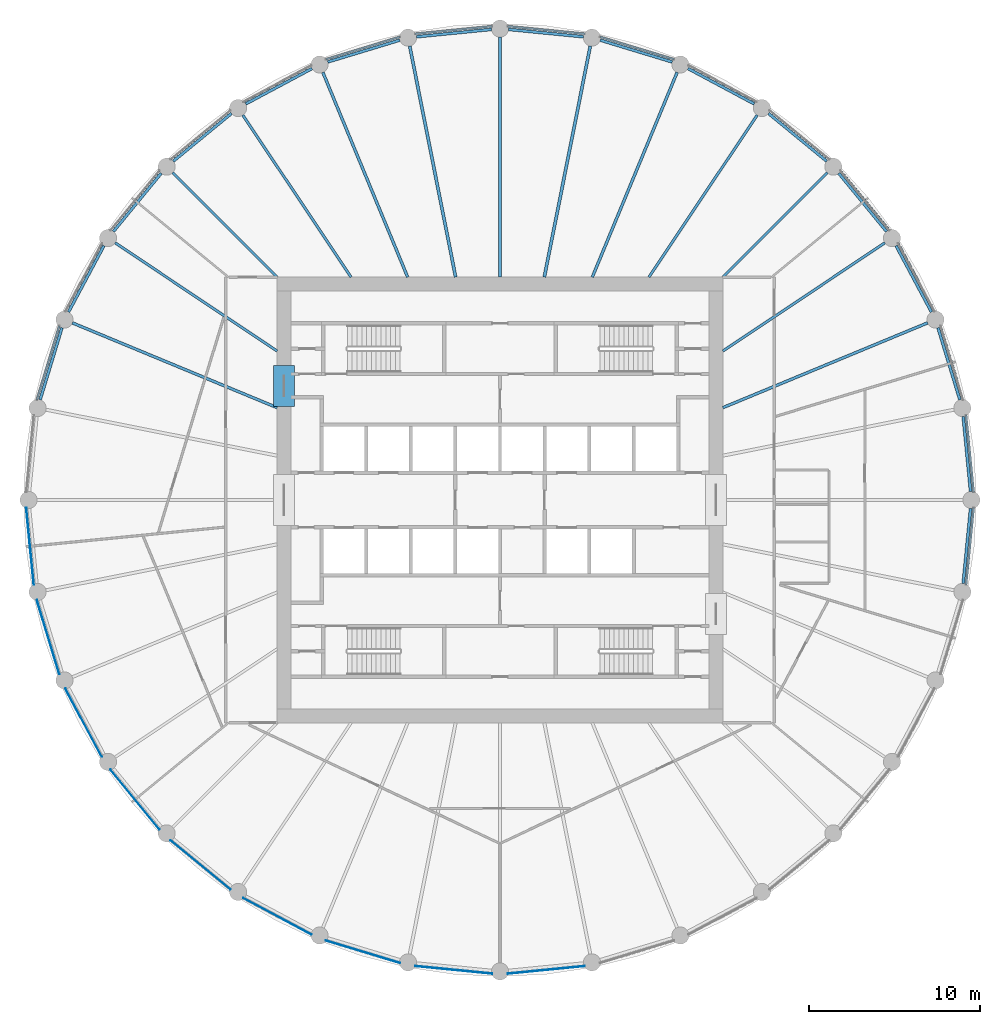
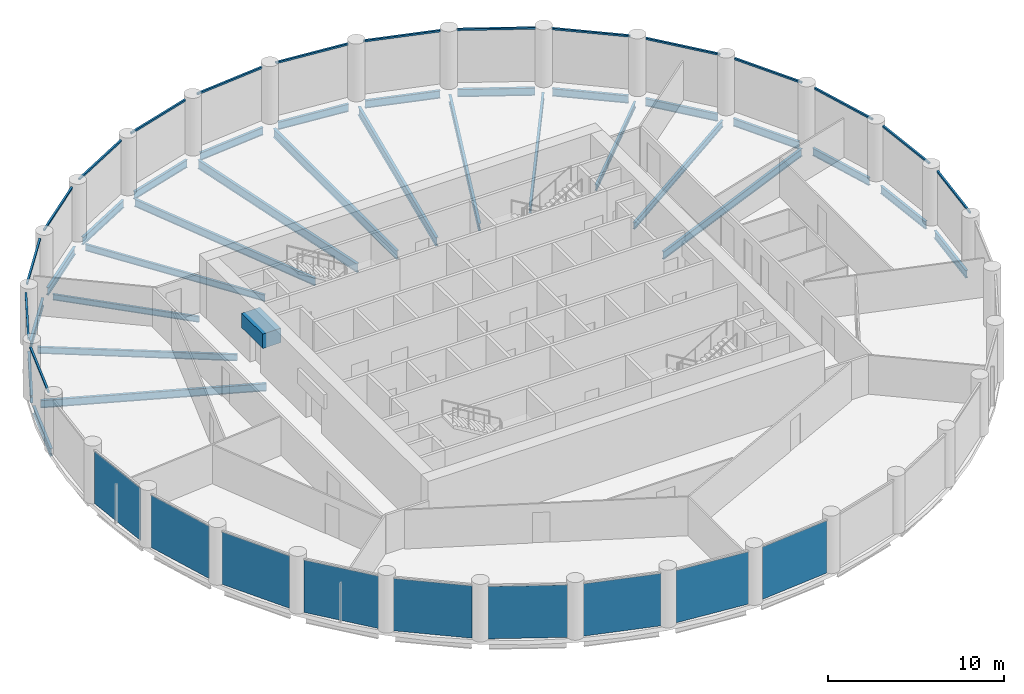
# One storey, part 2 of 8: 30 beams, 16 members, 9 plates, 25 elements without a shape of their own.
"""IFC4 building model written with IfcOpenShell, lengths in metres."""

import ifcopenshell
import ifcopenshell.guid

model = None  # the IFC model being written
_history = None  # IfcOwnerHistory: only IFC2X3 demands one
_inside = {}  # id of a spatial element -> (the spatial element, [elements in it])
_under = {}  # id of a project, library or spatial element -> (it, [spatial elements below it])
_declared = {}  # id of a project -> (the project, [libraries it declares])
_typed = {}  # id of a type object -> (the type object, [elements of that type])
_made_of = {}  # id of a material, layer set ... -> (it, [elements and type objects made of it])


def new_model(schema):
    """Start an empty IFC model of exactly this schema.

    Asked for "IFC4X3", IfcOpenShell would pick the latest addendum, in which some entities
    have other attributes; the version numbers below select the first issue.
    IFC2X3 requires an IfcOwnerHistory on every rooted entity: one is made here for all.
    """
    global model, _history
    if schema == "IFC4X3":
        model = ifcopenshell.file(schema_version=(4, 3, 0, 0))
    else:
        model = ifcopenshell.file(schema=schema)
    _inside.clear()
    _under.clear()
    _declared.clear()
    _typed.clear()
    _made_of.clear()
    _history = None
    if model.schema == "IFC2X3":
        org = make("IfcOrganization", Name="unknown")
        user = make(
            "IfcPersonAndOrganization",
            ThePerson=make("IfcPerson", FamilyName="unknown"),
            TheOrganization=org,
        )
        app = make(
            "IfcApplication",
            ApplicationDeveloper=org,
            Version="unknown",
            ApplicationFullName="unknown",
            ApplicationIdentifier="unknown",
        )
        _history = make(
            "IfcOwnerHistory",
            OwningUser=user,
            OwningApplication=app,
            ChangeAction="ADDED",
            CreationDate=0,
        )
    return model


def make(cls, **values):
    """One entity of the class cls with the attributes given. An attribute that is None is left unset."""
    return model.create_entity(
        cls, **{name: value for name, value in values.items() if value is not None}
    )


def rooted(cls, **values):
    """An entity with a GlobalId (a new one), such as an element, a storey or a relation."""
    return make(cls, GlobalId=ifcopenshell.guid.new(), OwnerHistory=_history, **values)


def si_unit(unit_type, name, prefix=None):
    """IfcSIUnit, for example si_unit("LENGTHUNIT", "METRE", prefix="MILLI")."""
    return make("IfcSIUnit", UnitType=unit_type, Prefix=prefix, Name=name)


def assignment(units):
    """IfcUnitAssignment: the units of a project."""
    return None if units is None else make("IfcUnitAssignment", Units=units)


def point(xyz):
    """IfcCartesianPoint."""
    return None if xyz is None else make("IfcCartesianPoint", Coordinates=xyz)


def direction(xyz):
    """IfcDirection."""
    return None if xyz is None else make("IfcDirection", DirectionRatios=xyz)


def frame(location, z_axis=None, x_axis=None):
    """IfcAxis2Placement3D, a coordinate frame: its origin and axes. An axis left out is left unset."""
    return make(
        "IfcAxis2Placement3D",
        Location=point(location),
        Axis=direction(z_axis),
        RefDirection=direction(x_axis),
    )


def frame_2d(location, x_axis=None):
    """IfcAxis2Placement2D, a coordinate frame in the plane: its origin and x axis."""
    return make(
        "IfcAxis2Placement2D", Location=point(location), RefDirection=direction(x_axis)
    )


def origin():
    """The frame at (0, 0, 0) with its axes left unset."""
    return frame((0.0, 0.0, 0.0))


def origin_2d():
    """The frame at (0, 0) in the plane with its x axis left unset."""
    return frame_2d((0.0, 0.0))


def place(relative_to, where):
    """IfcLocalPlacement: puts the frame where relative to a parent placement (None: the world)."""
    return make(
        "IfcLocalPlacement", PlacementRelTo=relative_to, RelativePlacement=where
    )


def context(
    kind, dimensions, precision=None, world=None, true_north=None, identifier=None
):
    """IfcGeometricRepresentationContext, for example the 3D "Model" context."""
    return make(
        "IfcGeometricRepresentationContext",
        ContextIdentifier=identifier,
        ContextType=kind,
        CoordinateSpaceDimension=dimensions,
        Precision=precision,
        WorldCoordinateSystem=world,
        TrueNorth=true_north,
    )


def subcontext(parent, identifier, kind, view, scale=None):
    """IfcGeometricRepresentationSubContext, for example "Body" below "Model"."""
    return make(
        "IfcGeometricRepresentationSubContext",
        ContextIdentifier=identifier,
        ContextType=kind,
        ParentContext=parent,
        TargetScale=scale,
        TargetView=view,
    )


def project(units=None, contexts=None):
    """IfcProject with its units and contexts."""
    return rooted(
        "IfcProject",
        Name="project",
        RepresentationContexts=contexts,
        UnitsInContext=assignment(units),
    )


def spatial(cls, under=None, at=None, **own):
    """A site, building, storey or space (cls), placed at a placement, below another one or the project."""
    s = rooted(cls, ObjectPlacement=at, **own)
    if under is not None:
        _under.setdefault(under.id(), (under, []))[1].append(s)
    return s


def profile(cls, at=None, kind="AREA", **sizes):
    """A parametric profile (cls). Its sizes go by their IFC names, for example OverallWidth=200.0."""
    return make(cls, ProfileType=kind, Position=at, **sizes)


def rectangle(**sizes):
    """IfcRectangleProfileDef."""
    return profile("IfcRectangleProfileDef", **sizes)


def i_section(**sizes):
    """IfcIShapeProfileDef."""
    return profile("IfcIShapeProfileDef", **sizes)


def extrude(swept, where, along, depth):
    """IfcExtrudedAreaSolid: the profile swept, set in the frame where, extruded along a direction by depth."""
    return make(
        "IfcExtrudedAreaSolid",
        SweptArea=swept,
        Position=where,
        ExtrudedDirection=direction(along),
        Depth=depth,
    )


def shape(context_of_items, identifier, shape_type, items):
    """IfcShapeRepresentation: the items that make up one representation, for example the "Body"."""
    return make(
        "IfcShapeRepresentation",
        ContextOfItems=context_of_items,
        RepresentationIdentifier=identifier,
        RepresentationType=shape_type,
        Items=items,
    )


def material(Name=None, Category=None):
    """IfcMaterial."""
    return make("IfcMaterial", Name=Name, Category=Category)


def layer(
    of_material, thickness, ventilated=None, Name=None, Category=None, Priority=None
):
    """IfcMaterialLayer: one layer of a wall or slab, of a material (None: an air gap)."""
    return make(
        "IfcMaterialLayer",
        Material=of_material,
        LayerThickness=thickness,
        IsVentilated=ventilated,
        Name=Name,
        Category=Category,
        Priority=Priority,
    )


def layer_set(layers, Name=None):
    """IfcMaterialLayerSet."""
    return make("IfcMaterialLayerSet", MaterialLayers=layers, LayerSetName=Name)


def material_profile(
    of_material, cross_section, Name=None, Category=None, Priority=None
):
    """IfcMaterialProfile: a cross section and its material."""
    return make(
        "IfcMaterialProfile",
        Name=Name,
        Material=of_material,
        Profile=cross_section,
        Priority=Priority,
        Category=Category,
    )


def profile_set(profiles, Name=None, composite=None):
    """IfcMaterialProfileSet."""
    return make(
        "IfcMaterialProfileSet",
        Name=Name,
        MaterialProfiles=profiles,
        CompositeProfile=composite,
    )


def made_of(thing, what):
    """Note that an element or type object is made of a material, layer set ...; save() writes the relation."""
    if what is not None:
        _made_of.setdefault(what.id(), (what, []))[1].append(thing)
    return thing


def type_object(cls, material=None, **own):
    """A type object (cls), such as IfcWallType, which elements share."""
    return made_of(rooted(cls, **own), material)


def element(
    cls,
    number,
    at=None,
    inside=None,
    cuts=None,
    type_object=None,
    material=None,
    context=None,
    identifier="Body",
    shape_type=None,
    held_by="IfcProductDefinitionShape",
    body=None,
    shapes=None,
    **own,
):
    """One element of the class cls, such as IfcWall. Its Tag is "e" and its number.

    at: its placement. inside: the storey or other place that contains it. cuts: it is an
    opening in that element (IfcRelVoidsElement). A single representation is given by context,
    identifier, shape_type and body (its items); several are given by shapes. held_by: the class
    of the entity that holds the representations. save() writes the other relations.
    """
    e = rooted(cls, Tag="e%d" % number, ObjectPlacement=at, **own)
    if body is not None:
        shapes = [shape(context, identifier, shape_type, body)]
    if shapes is not None:
        e.Representation = make(held_by, Representations=shapes)
    if inside is not None:
        _inside.setdefault(inside.id(), (inside, []))[1].append(e)
    if cuts is not None:
        rooted(
            "IfcRelVoidsElement", RelatingBuildingElement=cuts, RelatedOpeningElement=e
        )
    if type_object is not None:
        _typed.setdefault(type_object.id(), (type_object, []))[1].append(e)
    return made_of(e, material)


def aggregate(whole, parts):
    """IfcRelAggregates: a whole, such as a stair, and the parts it consists of."""
    return rooted("IfcRelAggregates", RelatingObject=whole, RelatedObjects=parts)


def save(model, path):
    """Write the relations noted so far, then the file.

    IfcRelAggregates (storeys below a building ...), IfcRelContainedInSpatialStructure (elements
    in a storey), IfcRelDefinesByType, IfcRelAssociatesMaterial and IfcRelDeclares: one each for
    every whole, place, type object, material and project.
    """
    for whole, parts in _under.values():
        aggregate(whole, parts)
    for where, things in _inside.values():
        rooted(
            "IfcRelContainedInSpatialStructure",
            RelatedElements=things,
            RelatingStructure=where,
        )
    for kind, things in _typed.values():
        rooted("IfcRelDefinesByType", RelatedObjects=things, RelatingType=kind)
    for what, things in _made_of.values():
        rooted("IfcRelAssociatesMaterial", RelatedObjects=things, RelatingMaterial=what)
    for by, libraries in _declared.values():
        rooted("IfcRelDeclares", RelatingContext=by, RelatedDefinitions=libraries)
    model.write(path)


model = new_model("IFC4")

# Units and contexts
model_context = context("Model", 3, precision=1e-05, world=origin(), true_north=direction((0.0, 1.0)))
body_context = subcontext(model_context, "Body", "Model", "MODEL_VIEW")
ifc_project = project(units=[si_unit("LENGTHUNIT", "METRE"), si_unit("AREAUNIT", "SQUARE_METRE"), si_unit("VOLUMEUNIT", "CUBIC_METRE"), si_unit("PLANEANGLEUNIT", "RADIAN"), si_unit("MASSUNIT", "GRAM", prefix="KILO")], contexts=[model_context])

# Site, building, storey
site_placement = place(None, origin())
site = spatial("IfcSite", under=ifc_project, at=site_placement, CompositionType="ELEMENT")
building_placement = place(site_placement, origin())
building = spatial("IfcBuilding", under=site, at=building_placement, Name="Corvane Civic Tower", CompositionType="ELEMENT")
storey_placement = place(building_placement, frame((0.0, 0.0, 245.5)))
storey = spatial("IfcBuildingStorey", under=building, at=storey_placement, Name="L58", CompositionType="ELEMENT", Elevation=245.5)

# Beams
ifc_material_1 = material(Name="Concrete C50/60", Category="concrete")
ifc_material_profile_1 = material_profile(ifc_material_1, rectangle(XDim=1.199951171875, YDim=1.0, at=origin_2d()), Name="COUPLING BEAM 1200X1000")
ifc_profile_set_1 = profile_set([ifc_material_profile_1], Name="Concrete C50/60")
beam_type_1 = type_object("IfcBeamType", Name="COUPLING BEAM COUPLING BEAM 1200X1000", PredefinedType="BEAM", material=ifc_profile_set_1)
beam_1_placement = place(storey_placement, frame((-12.60009765625, 5.449951171875, 2.60009765625), z_axis=(0.0, 1.0, 0.0), x_axis=(-1.0, 0.0, 0.0)))
element("IfcBeam", 1, at=beam_1_placement, inside=storey, type_object=beam_type_1, Name="BM-L58-cpl-CW-WN", PredefinedType="BEAM", context=body_context, shape_type="SweptSolid", body=[
    extrude(rectangle(XDim=1.199951171875, YDim=1.0, at=origin_2d()), origin(), (0.0, 0.0, 1.0), 2.400146484375),
])
ifc_material_2 = material(Name="Steel ASTM A992 Gr 50", Category="steel")
ifc_material_profile_2 = material_profile(ifc_material_2, i_section(OverallWidth=0.165771484375, OverallDepth=0.5283203125, WebThickness=0.009765625, FlangeThickness=0.013671875, at=origin_2d()), Name="W21X50")
ifc_profile_set_2 = profile_set([ifc_material_profile_2], Name="Steel ASTM A992 Gr 50")
beam_type_2 = type_object("IfcBeamType", Name="EDGE BEAM W21X50", PredefinedType="BEAM", material=ifc_profile_set_2)
beam_2_placement = place(storey_placement, frame((0.49755859375, 27.450927734375, -0.564208984375), z_axis=(0.995189593769, -0.097967711281, 0.0), x_axis=(0.097967711281, 0.995189593769, 0.0)))
element("IfcBeam", 2, at=beam_2_placement, inside=storey, type_object=beam_type_2, Name="BM-L58-E01", PredefinedType="BEAM", context=body_context, shape_type="SweptSolid", body=[
    extrude(i_section(OverallWidth=0.165771484375, OverallDepth=0.5283203125, WebThickness=0.009765625, FlangeThickness=0.013671875, at=origin_2d()), origin(), (0.0, 0.0, 1.0), 4.39111328125),
])
beam_3_placement = place(storey_placement, frame((5.843505859375, 26.826416015625, -0.564208984375), z_axis=(0.956949547653, -0.290254307888, 0.0), x_axis=(0.290254307888, 0.956949547653, 0.0)))
element("IfcBeam", 3, at=beam_3_placement, inside=storey, type_object=beam_type_2, Name="BM-L58-E02", PredefinedType="BEAM", context=body_context, shape_type="SweptSolid", body=[
    extrude(i_section(OverallWidth=0.165771484375, OverallDepth=0.5283203125, WebThickness=0.009765625, FlangeThickness=0.013671875, at=origin_2d()), origin(), (0.0, 0.0, 1.0), 4.390625),
])
for number, where, z_axis, x_axis, name in (
    (4, (10.964599609375, 25.171142578125, -0.564208984375), (0.881907756852, -0.471422006704, 0.0), (0.471422006704, 0.881907756852, 0.0), "BM-L58-E03"),
    (5, (15.66455078125, 22.54833984375, -0.564208984375), (0.773030026524, -0.634369433447, 0.0), (0.634369433447, 0.773030026524, 0.0), "BM-L58-E04"),
    (6, (19.7626953125, 19.05908203125, -0.564208984375), (0.634369433447, -0.773030026524, 0.0), (0.773030026524, 0.634369433447, 0.0), "BM-L58-E05"),
    (7, (23.10107421875, 14.837158203125, -0.564208984375), (0.471422006704, -0.881907756852, 0.0), (0.881907756852, 0.471422006704, 0.0), "BM-L58-E06"),
):
    element("IfcBeam", number, at=place(storey_placement, frame(where, z_axis=z_axis, x_axis=x_axis)), inside=storey, type_object=beam_type_2, Name=name, PredefinedType="BEAM", context=body_context, shape_type="SweptSolid", body=[
        extrude(i_section(OverallWidth=0.165771484375, OverallDepth=0.5283203125, WebThickness=0.009765625, FlangeThickness=0.013671875, at=origin_2d()), origin(), (0.0, 0.0, 1.0), 4.39111328125),
    ])
beam_4_placement = place(storey_placement, frame((25.552001953125, 10.045166015625, -0.564208984375), z_axis=(0.290254307888, -0.956949547653, 0.0), x_axis=(0.956949547653, 0.290254307888, 0.0)))
element("IfcBeam", 8, at=beam_4_placement, inside=storey, type_object=beam_type_2, Name="BM-L58-E07", PredefinedType="BEAM", context=body_context, shape_type="SweptSolid", body=[
    extrude(i_section(OverallWidth=0.165771484375, OverallDepth=0.5283203125, WebThickness=0.009765625, FlangeThickness=0.013671875, at=origin_2d()), origin(), (0.0, 0.0, 1.0), 4.390625),
])
for number, where, z_axis, x_axis, name in (
    (9, (27.020751953125, 4.867431640625, -0.564208984375), (0.097967711281, -0.995189593769, 0.0), (0.995189593769, 0.097967711281, 0.0), "BM-L58-E08"),
    (10, (27.450927734375, -0.49755859375, -0.564208984375), (-0.097967711281, -0.995189593769, 0.0), (0.995189593769, -0.097967711281, 0.0), "BM-L58-E09"),
):
    element("IfcBeam", number, at=place(storey_placement, frame(where, z_axis=z_axis, x_axis=x_axis)), inside=storey, type_object=beam_type_2, Name=name, PredefinedType="BEAM", context=body_context, shape_type="SweptSolid", body=[
        extrude(i_section(OverallWidth=0.165771484375, OverallDepth=0.5283203125, WebThickness=0.009765625, FlangeThickness=0.013671875, at=origin_2d()), origin(), (0.0, 0.0, 1.0), 4.39111328125),
    ])
beam_5_placement = place(storey_placement, frame((-26.826416015625, 5.843505859375, -0.564208984375), z_axis=(0.290254307888, 0.956949547653, 0.0), x_axis=(-0.956949547653, 0.290254307888, 0.0)))
element("IfcBeam", 11, at=beam_5_placement, inside=storey, type_object=beam_type_2, Name="BM-L58-E26", PredefinedType="BEAM", context=body_context, shape_type="SweptSolid", body=[
    extrude(i_section(OverallWidth=0.165771484375, OverallDepth=0.5283203125, WebThickness=0.009765625, FlangeThickness=0.013671875, at=origin_2d()), origin(), (0.0, 0.0, 1.0), 4.390625),
])
for number, where, z_axis, x_axis, name in (
    (12, (-25.171142578125, 10.964599609375, -0.564208984375), (0.471422006704, 0.881907756852, 0.0), (-0.881907756852, 0.471422006704, 0.0), "BM-L58-E27"),
    (13, (-22.54833984375, 15.66455078125, -0.564208984375), (0.634369433447, 0.773030026524, 0.0), (-0.773030026524, 0.634369433447, 0.0), "BM-L58-E28"),
    (14, (-19.05908203125, 19.7626953125, -0.564208984375), (0.773030026524, 0.634369433447, 0.0), (-0.634369433447, 0.773030026524, 0.0), "BM-L58-E29"),
    (15, (-14.837158203125, 23.10107421875, -0.564208984375), (0.881907756852, 0.471422006704, 0.0), (-0.471422006704, 0.881907756852, 0.0), "BM-L58-E30"),
):
    element("IfcBeam", number, at=place(storey_placement, frame(where, z_axis=z_axis, x_axis=x_axis)), inside=storey, type_object=beam_type_2, Name=name, PredefinedType="BEAM", context=body_context, shape_type="SweptSolid", body=[
        extrude(i_section(OverallWidth=0.165771484375, OverallDepth=0.5283203125, WebThickness=0.009765625, FlangeThickness=0.013671875, at=origin_2d()), origin(), (0.0, 0.0, 1.0), 4.39111328125),
    ])
beam_6_placement = place(storey_placement, frame((-10.045166015625, 25.552001953125, -0.564208984375), z_axis=(0.956949547653, 0.290254307888, 0.0), x_axis=(-0.290254307888, 0.956949547653, 0.0)))
element("IfcBeam", 16, at=beam_6_placement, inside=storey, type_object=beam_type_2, Name="BM-L58-E31", PredefinedType="BEAM", context=body_context, shape_type="SweptSolid", body=[
    extrude(i_section(OverallWidth=0.165771484375, OverallDepth=0.5283203125, WebThickness=0.009765625, FlangeThickness=0.013671875, at=origin_2d()), origin(), (0.0, 0.0, 1.0), 4.390625),
])
beam_7_placement = place(storey_placement, frame((-4.867431640625, 27.020751953125, -0.564208984375), z_axis=(0.995189593769, 0.097967711281, 0.0), x_axis=(-0.097967711281, 0.995189593769, 0.0)))
element("IfcBeam", 17, at=beam_7_placement, inside=storey, type_object=beam_type_2, Name="BM-L58-E32", PredefinedType="BEAM", context=body_context, shape_type="SweptSolid", body=[
    extrude(i_section(OverallWidth=0.165771484375, OverallDepth=0.5283203125, WebThickness=0.009765625, FlangeThickness=0.013671875, at=origin_2d()), origin(), (0.0, 0.0, 1.0), 4.39111328125),
])
ifc_material_3 = material(Name="Steel ASTM A992 Gr 50", Category="steel")
ifc_material_profile_3 = material_profile(ifc_material_3, i_section(OverallWidth=0.140380859375, OverallDepth=0.40380859375, WebThickness=0.007080078125, FlangeThickness=0.01123046875, at=origin_2d()), Name="W16X31")
ifc_profile_set_3 = profile_set([ifc_material_profile_3], Name="Steel ASTM A992 Gr 50")
beam_type_3 = type_object("IfcBeamType", Name="FLOOR GIRDER W16X31", PredefinedType="BEAM", material=ifc_profile_set_3)
for number, where, z_axis, x_axis, name in (
    (18, (13.0, 13.0, -0.501953125), (0.707106781187, 0.707106781187, 0.0), (-0.707106781187, 0.707106781187, 0.0), "BM-L58-G05"),
    (19, (-13.0, 13.0, -0.501953125), (-0.707106781187, 0.707106781187, 0.0), (-0.707106781187, -0.707106781187, 0.0), "BM-L58-G29"),
):
    element("IfcBeam", number, at=place(storey_placement, frame(where, z_axis=z_axis, x_axis=x_axis)), inside=storey, type_object=beam_type_3, Name=name, PredefinedType="BEAM", context=body_context, shape_type="SweptSolid", body=[
        extrude(i_section(OverallWidth=0.140380859375, OverallDepth=0.40380859375, WebThickness=0.007080078125, FlangeThickness=0.01123046875, at=origin_2d()), origin(), (0.0, 0.0, 1.0), 8.614990234375),
    ])
ifc_material_4 = material(Name="Steel ASTM A992 Gr 50", Category="steel")
ifc_material_profile_4 = material_profile(ifc_material_4, i_section(OverallWidth=0.15283203125, OverallDepth=0.45458984375, WebThickness=0.008056640625, FlangeThickness=0.013427734375, at=origin_2d()), Name="W18X40")
ifc_profile_set_4 = profile_set([ifc_material_profile_4], Name="Steel ASTM A992 Gr 50")
beam_type_4 = type_object("IfcBeamType", Name="FLOOR GIRDER W18X40", PredefinedType="BEAM", material=ifc_profile_set_4)
for number, where, z_axis, x_axis, name in (
    (20, (8.686279296875, 13.0, -0.52734375), (0.555577326485, 0.831464872557, 0.0), (-0.831464872557, 0.555577326485, 0.0), "BM-L58-G04"),
    (21, (13.0, 8.686279296875, -0.52734375), (0.831464872557, 0.555577326485, 0.0), (-0.555577326485, 0.831464872557, 0.0), "BM-L58-G06"),
    (22, (-13.0, 8.686279296875, -0.52734375), (-0.831464872557, 0.555577326485, 0.0), (-0.555577326485, -0.831464872557, 0.0), "BM-L58-G28"),
    (23, (-8.686279296875, 13.0, -0.52734375), (-0.555577326485, 0.831464872557, 0.0), (-0.831464872557, -0.555577326485, 0.0), "BM-L58-G30"),
):
    element("IfcBeam", number, at=place(storey_placement, frame(where, z_axis=z_axis, x_axis=x_axis)), inside=storey, type_object=beam_type_4, Name=name, PredefinedType="BEAM", context=body_context, shape_type="SweptSolid", body=[
        extrude(i_section(OverallWidth=0.15283203125, OverallDepth=0.45458984375, WebThickness=0.008056640625, FlangeThickness=0.013427734375, at=origin_2d()), origin(), (0.0, 0.0, 1.0), 11.365234375),
    ])
ifc_material_5 = material(Name="Steel ASTM A992 Gr 50", Category="steel")
ifc_material_profile_5 = material_profile(ifc_material_5, i_section(OverallWidth=0.165771484375, OverallDepth=0.5283203125, WebThickness=0.009765625, FlangeThickness=0.013671875, at=origin_2d()), Name="W21X50")
ifc_profile_set_5 = profile_set([ifc_material_profile_5], Name="Steel ASTM A992 Gr 50")
beam_type_5 = type_object("IfcBeamType", Name="FLOOR GIRDER W21X50", PredefinedType="BEAM", material=ifc_profile_set_5)
for number, where, z_axis, x_axis, name in (
    (24, (5.384765625, 13.0, -0.564208984375), (0.382686450378, 0.923878282404, 0.0), (-0.923878282404, 0.382686450378, 0.0), "BM-L58-G03"),
    (25, (13.0, 5.384765625, -0.564208984375), (0.923878282404, 0.382686450378, 0.0), (-0.382686450378, 0.923878282404, 0.0), "BM-L58-G07"),
    (26, (-13.0, 5.384765625, -0.564208984375), (-0.923878282404, 0.382686450378, 0.0), (-0.382686450378, -0.923878282404, 0.0), "BM-L58-G27"),
    (27, (-5.384765625, 13.0, -0.564208984375), (-0.382686450378, 0.923878282404, 0.0), (-0.923878282404, -0.382686450378, 0.0), "BM-L58-G31"),
):
    element("IfcBeam", number, at=place(storey_placement, frame(where, z_axis=z_axis, x_axis=x_axis)), inside=storey, type_object=beam_type_5, Name=name, PredefinedType="BEAM", context=body_context, shape_type="SweptSolid", body=[
        extrude(i_section(OverallWidth=0.165771484375, OverallDepth=0.5283203125, WebThickness=0.009765625, FlangeThickness=0.013671875, at=origin_2d()), origin(), (0.0, 0.0, 1.0), 12.928955078125),
    ])
ifc_material_6 = material(Name="Steel ASTM A992 Gr 50", Category="steel")
ifc_material_profile_6 = material_profile(ifc_material_6, i_section(OverallWidth=0.177978515625, OverallDepth=0.599365234375, WebThickness=0.010009765625, FlangeThickness=0.012939453125, at=origin_2d()), Name="W24X55")
ifc_profile_set_6 = profile_set([ifc_material_profile_6], Name="Steel ASTM A992 Gr 50")
beam_type_6 = type_object("IfcBeamType", Name="FLOOR GIRDER W24X55", PredefinedType="BEAM", material=ifc_profile_set_6)
beam_8_placement = place(storey_placement, frame((0.0, 13.0, -0.599609375), z_axis=(0.0, 1.0, 0.0), x_axis=(-1.0, 0.0, 0.0)))
element("IfcBeam", 28, at=beam_8_placement, inside=storey, type_object=beam_type_6, Name="BM-L58-G01", PredefinedType="BEAM", context=body_context, shape_type="SweptSolid", body=[
    extrude(i_section(OverallWidth=0.177978515625, OverallDepth=0.599365234375, WebThickness=0.010009765625, FlangeThickness=0.012939453125, at=origin_2d()), origin(), (0.0, 0.0, 1.0), 14.0),
])
for number, where, z_axis, x_axis, name in (
    (29, (2.5859375, 13.0, -0.599609375), (0.195077644118, 0.980787802109, 0.0), (-0.980787802109, 0.195077644118, 0.0), "BM-L58-G02"),
    (30, (-2.5859375, 13.0, -0.599609375), (-0.195077644118, 0.980787802109, 0.0), (-0.980787802109, -0.195077644118, 0.0), "BM-L58-G32"),
):
    element("IfcBeam", number, at=place(storey_placement, frame(where, z_axis=z_axis, x_axis=x_axis)), inside=storey, type_object=beam_type_6, Name=name, PredefinedType="BEAM", context=body_context, shape_type="SweptSolid", body=[
        extrude(i_section(OverallWidth=0.177978515625, OverallDepth=0.599365234375, WebThickness=0.010009765625, FlangeThickness=0.012939453125, at=origin_2d()), origin(), (0.0, 0.0, 1.0), 13.745361328125),
    ])

# Curtain wall, member
ifc_material_7 = material(Name="Anodised aluminium bronze", Category="aluminium")
curtain_wall_type = type_object("IfcCurtainWallType", Name="TOWER CW-T2 STICK CURTAIN WALL", PredefinedType="NOTDEFINED", material=ifc_material_7)
curtain_wall_1_placement = place(storey_placement, origin())
curtain_wall_1 = element("IfcCurtainWall", 31, at=curtain_wall_1_placement, inside=storey, type_object=curtain_wall_type, Name="Curtain wall CW-T2 L58 bay 01", PredefinedType="NOTDEFINED")
ifc_material_8 = material(Name="Anodised aluminium bronze", Category="aluminium")
ifc_material_profile_7 = material_profile(ifc_material_8, rectangle(XDim=0.1201171875, YDim=0.1201171875, at=origin_2d()), Name="TOWER CW-T2 TRANSOM 120x120")
ifc_profile_set_7 = profile_set([ifc_material_profile_7], Name="Anodised aluminium bronze")
member_type = type_object("IfcMemberType", Name="TOWER CW-T2 TRANSOM 120x120", PredefinedType="USERDEFINED", material=ifc_profile_set_7)
member_1_placement = place(storey_placement, frame((0.452392578125, 27.635498046875, 3.68994140625), z_axis=(0.995182207386, -0.098042715701, 0.0), x_axis=(0.098042715701, 0.995182207386, 0.0)))
member_1 = element("IfcMember", 32, at=member_1_placement, type_object=member_type, Name="Transom CW-T2 L58 01.1", ObjectType="TRANSOM", PredefinedType="USERDEFINED", context=body_context, shape_type="SweptSolid", body=[
    extrude(rectangle(XDim=0.1201171875, YDim=0.1201171875, at=origin_2d()), origin(), (0.0, 0.0, 1.0), 4.51708984375),
])
aggregate(curtain_wall_1, [member_1])

curtain_wall_2_placement = place(storey_placement, origin())
curtain_wall_2 = element("IfcCurtainWall", 33, at=curtain_wall_2_placement, inside=storey, type_object=curtain_wall_type, Name="Curtain wall CW-T2 L58 bay 02", PredefinedType="NOTDEFINED")
member_2_placement = place(storey_placement, frame((5.8349609375, 27.016357421875, 3.68994140625), z_axis=(0.956941182173, -0.2902818869, 0.0), x_axis=(0.2902818869, 0.956941182173, 0.0)))
member_2 = element("IfcMember", 34, at=member_2_placement, type_object=member_type, Name="Transom CW-T2 L58 02.1", ObjectType="TRANSOM", PredefinedType="USERDEFINED", context=body_context, shape_type="SweptSolid", body=[
    extrude(rectangle(XDim=0.1201171875, YDim=0.1201171875, at=origin_2d()), origin(), (0.0, 0.0, 1.0), 4.517333984375),
])
aggregate(curtain_wall_2, [member_2])

curtain_wall_3_placement = place(storey_placement, origin())
curtain_wall_3 = element("IfcCurtainWall", 35, at=curtain_wall_3_placement, inside=storey, type_object=curtain_wall_type, Name="Curtain wall CW-T2 L58 bay 03", PredefinedType="NOTDEFINED")
member_3_placement = place(storey_placement, frame((10.993408203125, 25.35888671875, 3.68994140625), z_axis=(0.881924695689, -0.471390317183, 0.0), x_axis=(0.471390317183, 0.881924695689, 0.0)))
member_3 = element("IfcMember", 36, at=member_3_placement, type_object=member_type, Name="Transom CW-T2 L58 03.1", ObjectType="TRANSOM", PredefinedType="USERDEFINED", context=body_context, shape_type="SweptSolid", body=[
    extrude(rectangle(XDim=0.1201171875, YDim=0.1201171875, at=origin_2d()), origin(), (0.0, 0.0, 1.0), 4.517333984375),
])
aggregate(curtain_wall_3, [member_3])

curtain_wall_4_placement = place(storey_placement, origin())
curtain_wall_4 = element("IfcCurtainWall", 37, at=curtain_wall_4_placement, inside=storey, type_object=curtain_wall_type, Name="Curtain wall CW-T2 L58 bay 04", PredefinedType="NOTDEFINED")
member_4_placement = place(storey_placement, frame((15.7294921875, 22.726806640625, 3.68994140625), z_axis=(0.773014925698, -0.634387834569, 0.0), x_axis=(0.634387834569, 0.773014925698, 0.0)))
member_4 = element("IfcMember", 38, at=member_4_placement, type_object=member_type, Name="Transom CW-T2 L58 04.1", ObjectType="TRANSOM", PredefinedType="USERDEFINED", context=body_context, shape_type="SweptSolid", body=[
    extrude(rectangle(XDim=0.1201171875, YDim=0.1201171875, at=origin_2d()), origin(), (0.0, 0.0, 1.0), 4.517333984375),
])
aggregate(curtain_wall_4, [member_4])

curtain_wall_5_placement = place(storey_placement, origin())
curtain_wall_5 = element("IfcCurtainWall", 39, at=curtain_wall_5_placement, inside=storey, type_object=curtain_wall_type, Name="Curtain wall CW-T2 L58 bay 05", PredefinedType="NOTDEFINED")
member_5_placement = place(storey_placement, frame((19.861083984375, 19.221435546875, 3.68994140625), z_axis=(0.634387834569, -0.773014925698, 0.0), x_axis=(0.773014925698, 0.634387834569, 0.0)))
member_5 = element("IfcMember", 40, at=member_5_placement, type_object=member_type, Name="Transom CW-T2 L58 05.1", ObjectType="TRANSOM", PredefinedType="USERDEFINED", context=body_context, shape_type="SweptSolid", body=[
    extrude(rectangle(XDim=0.1201171875, YDim=0.1201171875, at=origin_2d()), origin(), (0.0, 0.0, 1.0), 4.517333984375),
])
aggregate(curtain_wall_5, [member_5])

curtain_wall_6_placement = place(storey_placement, origin())
curtain_wall_6 = element("IfcCurtainWall", 41, at=curtain_wall_6_placement, inside=storey, type_object=curtain_wall_type, Name="Curtain wall CW-T2 L58 bay 06", PredefinedType="NOTDEFINED")
member_6_placement = place(storey_placement, frame((23.2294921875, 14.977294921875, 3.68994140625), z_axis=(0.471390317183, -0.881924695689, 0.0), x_axis=(0.881924695689, 0.471390317183, 0.0)))
member_6 = element("IfcMember", 42, at=member_6_placement, type_object=member_type, Name="Transom CW-T2 L58 06.1", ObjectType="TRANSOM", PredefinedType="USERDEFINED", context=body_context, shape_type="SweptSolid", body=[
    extrude(rectangle(XDim=0.1201171875, YDim=0.1201171875, at=origin_2d()), origin(), (0.0, 0.0, 1.0), 4.517333984375),
])
aggregate(curtain_wall_6, [member_6])

curtain_wall_7_placement = place(storey_placement, origin())
curtain_wall_7 = element("IfcCurtainWall", 43, at=curtain_wall_7_placement, inside=storey, type_object=curtain_wall_type, Name="Curtain wall CW-T2 L58 bay 07", PredefinedType="NOTDEFINED")
member_7_placement = place(storey_placement, frame((25.705078125, 10.15771484375, 3.68994140625), z_axis=(0.2902818869, -0.956941182173, 0.0), x_axis=(0.956941182173, 0.2902818869, 0.0)))
member_7 = element("IfcMember", 44, at=member_7_placement, type_object=member_type, Name="Transom CW-T2 L58 07.1", ObjectType="TRANSOM", PredefinedType="USERDEFINED", context=body_context, shape_type="SweptSolid", body=[
    extrude(rectangle(XDim=0.1201171875, YDim=0.1201171875, at=origin_2d()), origin(), (0.0, 0.0, 1.0), 4.517333984375),
])
aggregate(curtain_wall_7, [member_7])

curtain_wall_8_placement = place(storey_placement, origin())
curtain_wall_8 = element("IfcCurtainWall", 45, at=curtain_wall_8_placement, inside=storey, type_object=curtain_wall_type, Name="Curtain wall CW-T2 L58 bay 08", PredefinedType="NOTDEFINED")
member_8_placement = place(storey_placement, frame((27.192626953125, 4.94775390625, 3.68994140625), z_axis=(0.098042715701, -0.995182207386, 0.0), x_axis=(0.995182207386, 0.098042715701, 0.0)))
member_8 = element("IfcMember", 46, at=member_8_placement, type_object=member_type, Name="Transom CW-T2 L58 08.1", ObjectType="TRANSOM", PredefinedType="USERDEFINED", context=body_context, shape_type="SweptSolid", body=[
    extrude(rectangle(XDim=0.1201171875, YDim=0.1201171875, at=origin_2d()), origin(), (0.0, 0.0, 1.0), 4.51708984375),
])
aggregate(curtain_wall_8, [member_8])

curtain_wall_9_placement = place(storey_placement, origin())
curtain_wall_9 = element("IfcCurtainWall", 47, at=curtain_wall_9_placement, inside=storey, type_object=curtain_wall_type, Name="Curtain wall CW-T2 L58 bay 09", PredefinedType="NOTDEFINED")
member_9_placement = place(storey_placement, frame((27.635498046875, -0.452392578125, 3.68994140625), z_axis=(-0.098042715701, -0.995182207386, 0.0), x_axis=(0.995182207386, -0.098042715701, 0.0)))
member_9 = element("IfcMember", 48, at=member_9_placement, type_object=member_type, Name="Transom CW-T2 L58 09.1", ObjectType="TRANSOM", PredefinedType="USERDEFINED", context=body_context, shape_type="SweptSolid", body=[
    extrude(rectangle(XDim=0.1201171875, YDim=0.1201171875, at=origin_2d()), origin(), (0.0, 0.0, 1.0), 4.51708984375),
])
aggregate(curtain_wall_9, [member_9])

curtain_wall_10_placement = place(storey_placement, origin())
curtain_wall_10 = element("IfcCurtainWall", 49, at=curtain_wall_10_placement, inside=storey, type_object=curtain_wall_type, Name="Curtain wall CW-T2 L58 bay 26", PredefinedType="NOTDEFINED")
member_10_placement = place(storey_placement, frame((-27.016357421875, 5.8349609375, 3.68994140625), z_axis=(0.2902818869, 0.956941182173, 0.0), x_axis=(-0.956941182173, 0.2902818869, 0.0)))
member_10 = element("IfcMember", 50, at=member_10_placement, type_object=member_type, Name="Transom CW-T2 L58 26.1", ObjectType="TRANSOM", PredefinedType="USERDEFINED", context=body_context, shape_type="SweptSolid", body=[
    extrude(rectangle(XDim=0.1201171875, YDim=0.1201171875, at=origin_2d()), origin(), (0.0, 0.0, 1.0), 4.517333984375),
])
aggregate(curtain_wall_10, [member_10])

curtain_wall_11_placement = place(storey_placement, origin())
curtain_wall_11 = element("IfcCurtainWall", 51, at=curtain_wall_11_placement, inside=storey, type_object=curtain_wall_type, Name="Curtain wall CW-T2 L58 bay 27", PredefinedType="NOTDEFINED")
member_11_placement = place(storey_placement, frame((-25.35888671875, 10.993408203125, 3.68994140625), z_axis=(0.471390317183, 0.881924695689, 0.0), x_axis=(-0.881924695689, 0.471390317183, 0.0)))
member_11 = element("IfcMember", 52, at=member_11_placement, type_object=member_type, Name="Transom CW-T2 L58 27.1", ObjectType="TRANSOM", PredefinedType="USERDEFINED", context=body_context, shape_type="SweptSolid", body=[
    extrude(rectangle(XDim=0.1201171875, YDim=0.1201171875, at=origin_2d()), origin(), (0.0, 0.0, 1.0), 4.517333984375),
])
aggregate(curtain_wall_11, [member_11])

curtain_wall_12_placement = place(storey_placement, origin())
curtain_wall_12 = element("IfcCurtainWall", 53, at=curtain_wall_12_placement, inside=storey, type_object=curtain_wall_type, Name="Curtain wall CW-T2 L58 bay 28", PredefinedType="NOTDEFINED")
member_12_placement = place(storey_placement, frame((-22.726806640625, 15.7294921875, 3.68994140625), z_axis=(0.634387834569, 0.773014925698, 0.0), x_axis=(-0.773014925698, 0.634387834569, 0.0)))
member_12 = element("IfcMember", 54, at=member_12_placement, type_object=member_type, Name="Transom CW-T2 L58 28.1", ObjectType="TRANSOM", PredefinedType="USERDEFINED", context=body_context, shape_type="SweptSolid", body=[
    extrude(rectangle(XDim=0.1201171875, YDim=0.1201171875, at=origin_2d()), origin(), (0.0, 0.0, 1.0), 4.517333984375),
])
aggregate(curtain_wall_12, [member_12])

curtain_wall_13_placement = place(storey_placement, origin())
curtain_wall_13 = element("IfcCurtainWall", 55, at=curtain_wall_13_placement, inside=storey, type_object=curtain_wall_type, Name="Curtain wall CW-T2 L58 bay 29", PredefinedType="NOTDEFINED")
member_13_placement = place(storey_placement, frame((-19.221435546875, 19.861083984375, 3.68994140625), z_axis=(0.773014925698, 0.634387834569, 0.0), x_axis=(-0.634387834569, 0.773014925698, 0.0)))
member_13 = element("IfcMember", 56, at=member_13_placement, type_object=member_type, Name="Transom CW-T2 L58 29.1", ObjectType="TRANSOM", PredefinedType="USERDEFINED", context=body_context, shape_type="SweptSolid", body=[
    extrude(rectangle(XDim=0.1201171875, YDim=0.1201171875, at=origin_2d()), origin(), (0.0, 0.0, 1.0), 4.517333984375),
])
aggregate(curtain_wall_13, [member_13])

curtain_wall_14_placement = place(storey_placement, origin())
curtain_wall_14 = element("IfcCurtainWall", 57, at=curtain_wall_14_placement, inside=storey, type_object=curtain_wall_type, Name="Curtain wall CW-T2 L58 bay 30", PredefinedType="NOTDEFINED")
member_14_placement = place(storey_placement, frame((-14.977294921875, 23.2294921875, 3.68994140625), z_axis=(0.881924695689, 0.471390317183, 0.0), x_axis=(-0.471390317183, 0.881924695689, 0.0)))
member_14 = element("IfcMember", 58, at=member_14_placement, type_object=member_type, Name="Transom CW-T2 L58 30.1", ObjectType="TRANSOM", PredefinedType="USERDEFINED", context=body_context, shape_type="SweptSolid", body=[
    extrude(rectangle(XDim=0.1201171875, YDim=0.1201171875, at=origin_2d()), origin(), (0.0, 0.0, 1.0), 4.517333984375),
])
aggregate(curtain_wall_14, [member_14])

curtain_wall_15_placement = place(storey_placement, origin())
curtain_wall_15 = element("IfcCurtainWall", 59, at=curtain_wall_15_placement, inside=storey, type_object=curtain_wall_type, Name="Curtain wall CW-T2 L58 bay 31", PredefinedType="NOTDEFINED")
member_15_placement = place(storey_placement, frame((-10.15771484375, 25.705078125, 3.68994140625), z_axis=(0.956941182173, 0.2902818869, 0.0), x_axis=(-0.2902818869, 0.956941182173, 0.0)))
member_15 = element("IfcMember", 60, at=member_15_placement, type_object=member_type, Name="Transom CW-T2 L58 31.1", ObjectType="TRANSOM", PredefinedType="USERDEFINED", context=body_context, shape_type="SweptSolid", body=[
    extrude(rectangle(XDim=0.1201171875, YDim=0.1201171875, at=origin_2d()), origin(), (0.0, 0.0, 1.0), 4.517333984375),
])
aggregate(curtain_wall_15, [member_15])

curtain_wall_16_placement = place(storey_placement, origin())
curtain_wall_16 = element("IfcCurtainWall", 61, at=curtain_wall_16_placement, inside=storey, type_object=curtain_wall_type, Name="Curtain wall CW-T2 L58 bay 32", PredefinedType="NOTDEFINED")
member_16_placement = place(storey_placement, frame((-4.94775390625, 27.192626953125, 3.68994140625), z_axis=(0.995182207386, 0.098042715701, 0.0), x_axis=(-0.098042715701, 0.995182207386, 0.0)))
member_16 = element("IfcMember", 62, at=member_16_placement, type_object=member_type, Name="Transom CW-T2 L58 32.1", ObjectType="TRANSOM", PredefinedType="USERDEFINED", context=body_context, shape_type="SweptSolid", body=[
    extrude(rectangle(XDim=0.1201171875, YDim=0.1201171875, at=origin_2d()), origin(), (0.0, 0.0, 1.0), 4.51708984375),
])
aggregate(curtain_wall_16, [member_16])

# Curtain wall, plate
curtain_wall_17_placement = place(storey_placement, origin())
curtain_wall_17 = element("IfcCurtainWall", 63, at=curtain_wall_17_placement, inside=storey, type_object=curtain_wall_type, Name="Curtain wall CW-T2 L58 bay 16", PredefinedType="NOTDEFINED")
ifc_material_9 = material(Name="Tinted glass", Category="glass")
ifc_layer = layer(ifc_material_9, 0.031982421875)
ifc_layer_set = layer_set([ifc_layer], Name="Tinted glass")
plate_type = type_object("IfcPlateType", Name="TOWER CW-T2 PANEL IGU32", PredefinedType="CURTAIN_PANEL", material=ifc_layer_set)
plate_1_placement = place(storey_placement, frame((2.699951171875, -27.4140625, 0.0), z_axis=(0.0, 0.0, 1.0), x_axis=(-0.995187058378, -0.097993463235, 0.0)))
plate_1 = element("IfcPlate", 64, at=plate_1_placement, type_object=plate_type, Name="Glass panel CW-T2 L58 16.1", PredefinedType="CURTAIN_PANEL", context=body_context, shape_type="SweptSolid", body=[
    extrude(rectangle(XDim=4.517333984375, YDim=0.031982421875, at=origin_2d()), origin(), (0.0, 0.0, 1.0), 3.6298828125),
])
aggregate(curtain_wall_17, [plate_1])

curtain_wall_18_placement = place(storey_placement, origin())
curtain_wall_18 = element("IfcCurtainWall", 65, at=curtain_wall_18_placement, inside=storey, type_object=curtain_wall_type, Name="Curtain wall CW-T2 L58 bay 17", PredefinedType="NOTDEFINED")
plate_2_placement = place(storey_placement, frame((-2.699951171875, -27.4140625, 0.0), z_axis=(0.0, 0.0, 1.0), x_axis=(-0.995187058378, 0.097993463235, 0.0)))
plate_2 = element("IfcPlate", 66, at=plate_2_placement, type_object=plate_type, Name="Glass panel CW-T2 L58 17.1", PredefinedType="CURTAIN_PANEL", context=body_context, shape_type="SweptSolid", body=[
    extrude(rectangle(XDim=4.517333984375, YDim=0.031982421875, at=origin_2d()), origin(), (0.0, 0.0, 1.0), 3.6298828125),
])
aggregate(curtain_wall_18, [plate_2])

curtain_wall_19_placement = place(storey_placement, origin())
curtain_wall_19 = element("IfcCurtainWall", 67, at=curtain_wall_19_placement, inside=storey, type_object=curtain_wall_type, Name="Curtain wall CW-T2 L58 bay 18", PredefinedType="NOTDEFINED")
plate_3_placement = place(storey_placement, frame((-7.996337890625, -26.360595703125, 0.0), z_axis=(0.0, 0.0, 1.0), x_axis=(-0.956938843612, 0.290289596069, 0.0)))
plate_3 = element("IfcPlate", 68, at=plate_3_placement, type_object=plate_type, Name="Glass panel CW-T2 L58 18.1", PredefinedType="CURTAIN_PANEL", context=body_context, shape_type="SweptSolid", body=[
    extrude(rectangle(XDim=4.517333984375, YDim=0.031982421875, at=origin_2d()), origin(), (0.0, 0.0, 1.0), 3.6298828125),
])
aggregate(curtain_wall_19, [plate_3])

curtain_wall_20_placement = place(storey_placement, origin())
curtain_wall_20 = element("IfcCurtainWall", 69, at=curtain_wall_20_placement, inside=storey, type_object=curtain_wall_type, Name="Curtain wall CW-T2 L58 bay 19", PredefinedType="NOTDEFINED")
plate_4_placement = place(storey_placement, frame((-12.9853515625, -24.294189453125, 0.0), z_axis=(0.0, 0.0, 1.0), x_axis=(-0.881920381001, 0.471398389449, 0.0)))
plate_4 = element("IfcPlate", 70, at=plate_4_placement, type_object=plate_type, Name="Glass panel CW-T2 L58 19.1", PredefinedType="CURTAIN_PANEL", context=body_context, shape_type="SweptSolid", body=[
    extrude(rectangle(XDim=4.517333984375, YDim=0.031982421875, at=origin_2d()), origin(), (0.0, 0.0, 1.0), 3.6298828125),
])
aggregate(curtain_wall_20, [plate_4])

curtain_wall_21_placement = place(storey_placement, origin())
curtain_wall_21 = element("IfcCurtainWall", 71, at=curtain_wall_21_placement, inside=storey, type_object=curtain_wall_type, Name="Curtain wall CW-T2 L58 bay 20", PredefinedType="NOTDEFINED")
plate_5_placement = place(storey_placement, frame((-17.475341796875, -21.2939453125, 0.0), z_axis=(0.0, 0.0, 1.0), x_axis=(-0.773012269331, 0.634391071394, 0.0)))
plate_5 = element("IfcPlate", 72, at=plate_5_placement, type_object=plate_type, Name="Glass panel CW-T2 L58 20.1", PredefinedType="CURTAIN_PANEL", context=body_context, shape_type="SweptSolid", body=[
    extrude(rectangle(XDim=4.517333984375, YDim=0.031982421875, at=origin_2d()), origin(), (0.0, 0.0, 1.0), 3.6298828125),
])
aggregate(curtain_wall_21, [plate_5])

curtain_wall_22_placement = place(storey_placement, origin())
curtain_wall_22 = element("IfcCurtainWall", 73, at=curtain_wall_22_placement, inside=storey, type_object=curtain_wall_type, Name="Curtain wall CW-T2 L58 bay 21", PredefinedType="NOTDEFINED")
plate_6_placement = place(storey_placement, frame((-21.2939453125, -17.475341796875, 0.0), z_axis=(0.0, 0.0, 1.0), x_axis=(-0.634391071394, 0.773012269331, 0.0)))
plate_6 = element("IfcPlate", 74, at=plate_6_placement, type_object=plate_type, Name="Glass panel CW-T2 L58 21.1", PredefinedType="CURTAIN_PANEL", context=body_context, shape_type="SweptSolid", body=[
    extrude(rectangle(XDim=4.517333984375, YDim=0.031982421875, at=origin_2d()), origin(), (0.0, 0.0, 1.0), 3.6298828125),
])
aggregate(curtain_wall_22, [plate_6])

curtain_wall_23_placement = place(storey_placement, origin())
curtain_wall_23 = element("IfcCurtainWall", 75, at=curtain_wall_23_placement, inside=storey, type_object=curtain_wall_type, Name="Curtain wall CW-T2 L58 bay 22", PredefinedType="NOTDEFINED")
plate_7_placement = place(storey_placement, frame((-24.294189453125, -12.9853515625, 0.0), z_axis=(0.0, 0.0, 1.0), x_axis=(-0.471398389449, 0.881920381001, 0.0)))
plate_7 = element("IfcPlate", 76, at=plate_7_placement, type_object=plate_type, Name="Glass panel CW-T2 L58 22.1", PredefinedType="CURTAIN_PANEL", context=body_context, shape_type="SweptSolid", body=[
    extrude(rectangle(XDim=4.517333984375, YDim=0.031982421875, at=origin_2d()), origin(), (0.0, 0.0, 1.0), 3.6298828125),
])
aggregate(curtain_wall_23, [plate_7])

curtain_wall_24_placement = place(storey_placement, origin())
curtain_wall_24 = element("IfcCurtainWall", 77, at=curtain_wall_24_placement, inside=storey, type_object=curtain_wall_type, Name="Curtain wall CW-T2 L58 bay 23", PredefinedType="NOTDEFINED")
plate_8_placement = place(storey_placement, frame((-26.360595703125, -7.996337890625, 0.0), z_axis=(0.0, 0.0, 1.0), x_axis=(-0.290289596069, 0.956938843612, 0.0)))
plate_8 = element("IfcPlate", 78, at=plate_8_placement, type_object=plate_type, Name="Glass panel CW-T2 L58 23.1", PredefinedType="CURTAIN_PANEL", context=body_context, shape_type="SweptSolid", body=[
    extrude(rectangle(XDim=4.517333984375, YDim=0.031982421875, at=origin_2d()), origin(), (0.0, 0.0, 1.0), 3.6298828125),
])
aggregate(curtain_wall_24, [plate_8])

curtain_wall_25_placement = place(storey_placement, origin())
curtain_wall_25 = element("IfcCurtainWall", 79, at=curtain_wall_25_placement, inside=storey, type_object=curtain_wall_type, Name="Curtain wall CW-T2 L58 bay 24", PredefinedType="NOTDEFINED")
plate_9_placement = place(storey_placement, frame((-27.4140625, -2.699951171875, 0.0), z_axis=(0.0, 0.0, 1.0), x_axis=(-0.097993463235, 0.995187058378, 0.0)))
plate_9 = element("IfcPlate", 80, at=plate_9_placement, type_object=plate_type, Name="Glass panel CW-T2 L58 24.1", PredefinedType="CURTAIN_PANEL", context=body_context, shape_type="SweptSolid", body=[
    extrude(rectangle(XDim=4.517333984375, YDim=0.031982421875, at=origin_2d()), origin(), (0.0, 0.0, 1.0), 3.6298828125),
])
aggregate(curtain_wall_25, [plate_9])

save(model, "model.ifc")
